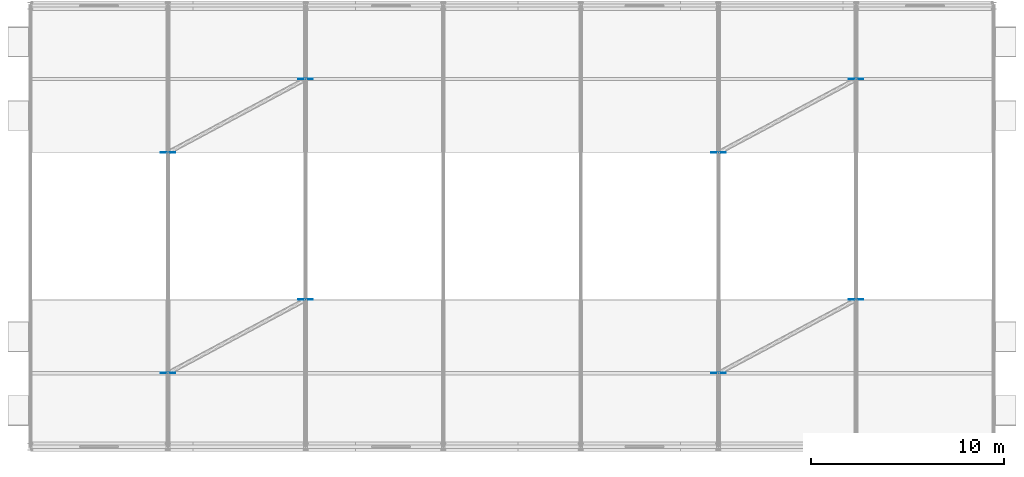
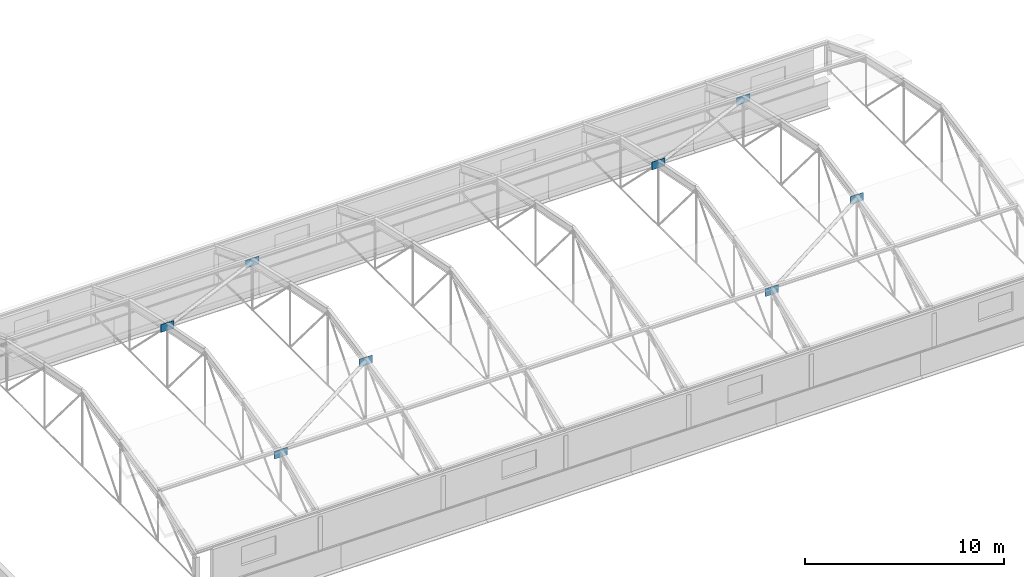
# One storey, part 46 of 53: 8 plates.
"""IFC4 building model written with IfcOpenShell, lengths in metres."""

from ifc_helpers import new_model, si_unit, direction, frame, origin_with_axes, origin_2d_with_axis, place, context, subcontext, project, spatial, rectangle, extrude, material, layer, layer_set, type_object, element, save


model = new_model("IFC4")

# Units and contexts
model_context = context("Model", 3, precision=1e-05, world=origin_with_axes(), true_north=direction((0.0, 1.0)))
body_context = subcontext(model_context, "Body", "Model", "MODEL_VIEW")
ifc_project = project(units=[si_unit("LENGTHUNIT", "METRE"), si_unit("AREAUNIT", "SQUARE_METRE"), si_unit("VOLUMEUNIT", "CUBIC_METRE"), si_unit("PLANEANGLEUNIT", "RADIAN"), si_unit("MASSUNIT", "GRAM", prefix="KILO"), si_unit("THERMODYNAMICTEMPERATUREUNIT", "KELVIN")], contexts=[model_context])

# Site, building, storey
site_placement = place(None, origin_with_axes())
site = spatial("IfcSite", under=ifc_project, at=site_placement, CompositionType="ELEMENT")
building_placement = place(site_placement, origin_with_axes())
building = spatial("IfcBuilding", under=site, at=building_placement, Name="Montbau Bow Law Courts", CompositionType="ELEMENT")
storey_placement = place(building_placement, frame((0.0, 0.0, 39.0), z_axis=(0.0, 0.0, 1.0), x_axis=(1.0, 0.0, 0.0)))
storey = spatial("IfcBuildingStorey", under=building, at=storey_placement, Name="L08", CompositionType="ELEMENT", Elevation=39.0)

# Plates
ifc_material = material(Name="Steel CSA G40.21 Grade 350W (350 MPa)", Category="steel")
ifc_layer = layer(ifc_material, 0.025, Name="Gusset Plate", Category="steel")
ifc_layer_set = layer_set([ifc_layer], Name="Steel CSA G40.21 Grade 350W (350 MPa)")
plate_type = type_object("IfcPlateType", Name="PL-GUS-02", PredefinedType="USERDEFINED", material=ifc_layer_set)
for number, where, z_axis, x_axis, name in (
    (1, (62.314, 42.8, 41.938), (0.0, 0.0, 1.0), (1.0, 0.0, 0.0), "BGP-L08-196:plt_0255"),
    (2, (69.429, 46.6, 42.784), (0.0, 0.0, 1.0), (1.0, 0.0, 0.0), "BGP-L08-197:plt_0256"),
    (3, (62.314, 54.2, 42.784), (0.0, 0.0, 1.0), (1.0, 0.0, 0.0), "BGP-L08-198:plt_0257"),
    (4, (69.429, 58.0, 41.938), (0.0, 0.0, 1.0), (1.0, 0.0, 0.0), "BGP-L08-199:plt_0258"),
    (5, (90.771, 42.8, 41.938), (0.0, 0.0, 1.0), (1.0, 0.0, 0.0), "BGP-L08-200:plt_0259"),
    (6, (97.886, 46.6, 42.784), (0.0, 0.0, 1.0), (1.0, 0.0, 0.0), "BGP-L08-201:plt_0260"),
    (7, (90.771, 54.2, 42.784), (0.0, 0.0, 1.0), (1.0, 0.0, 0.0), "BGP-L08-202:plt_0261"),
    (8, (97.886, 58.0, 41.938), (0.0, 0.0, 1.0), (1.0, 0.0, 0.0), "BGP-L08-203:plt_0262"),
):
    element("IfcPlate", number, at=place(None, frame(where, z_axis=z_axis, x_axis=x_axis)), inside=storey, type_object=plate_type, Name=name, ObjectType="GUSSET_PLATE", PredefinedType="USERDEFINED", context=body_context, shape_type="SweptSolid", body=[
        extrude(rectangle(XDim=0.76, YDim=0.025, at=origin_2d_with_axis()), origin_with_axes(), (0.0, 0.0, 1.0), 0.48),
    ])

save(model, "model.ifc")
